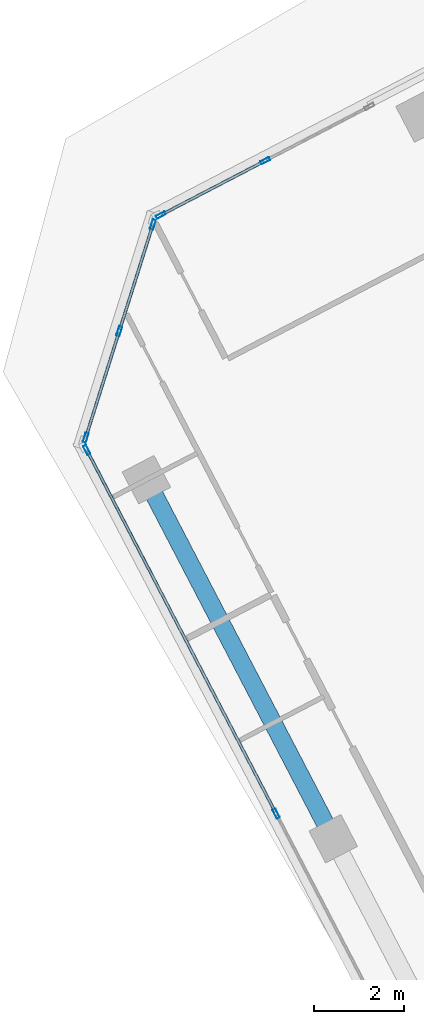
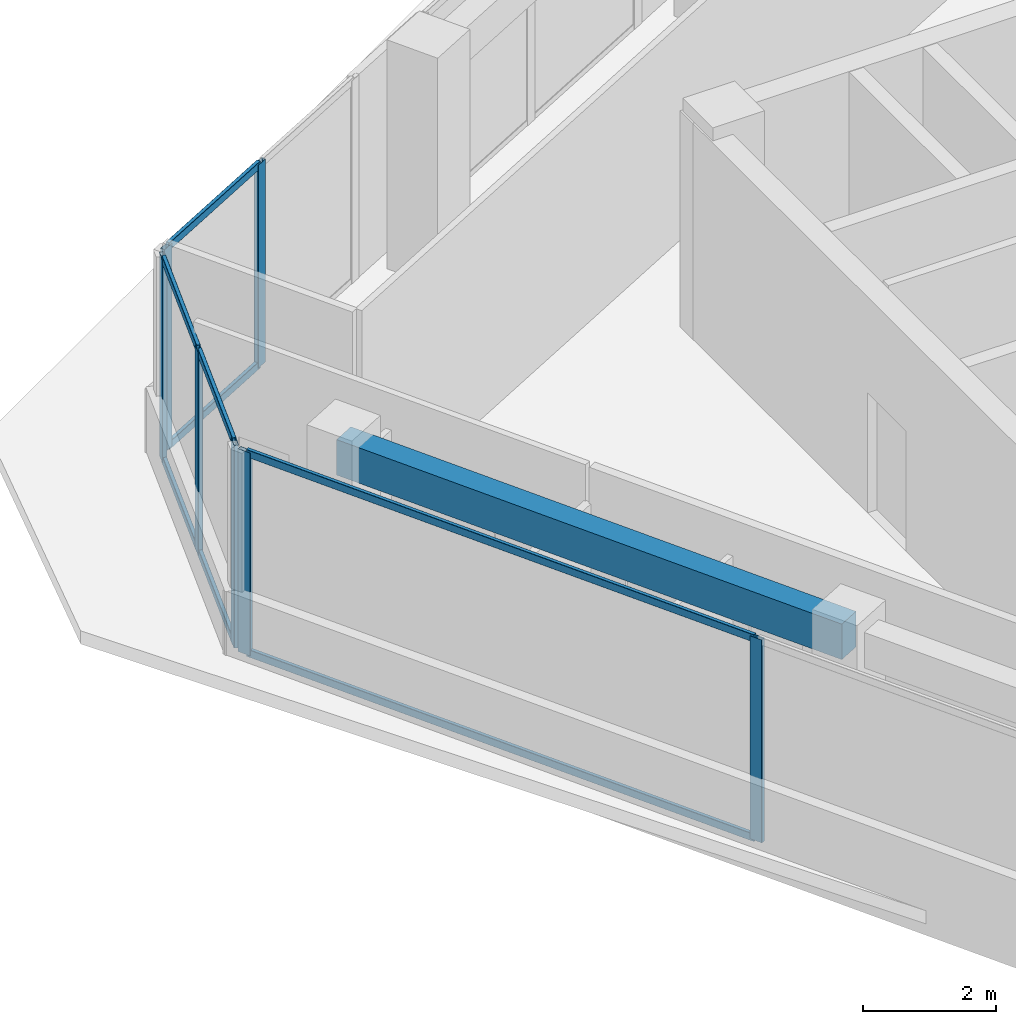
# One storey, part 5 of 16: 15 members, 1 beam, 3 elements without a shape of their own.
"""IFC4 building model written with IfcOpenShell, lengths in metres."""

from ifc_helpers import new_model, si_unit, direction, frame, origin, origin_2d, place, context, subcontext, project, spatial, rectangle, hollow_rectangle, extrude, source, transform, mapped, material, material_profile, profile_set, type_object, element, aggregate, save


model = new_model("IFC4")

# Units and contexts
model_context = context("Model", 3, precision=1e-05, world=origin(), true_north=direction((0.0, 1.0)))
body_context = subcontext(model_context, "Body", "Model", "MODEL_VIEW")
ifc_project = project(units=[si_unit("LENGTHUNIT", "METRE"), si_unit("AREAUNIT", "SQUARE_METRE"), si_unit("VOLUMEUNIT", "CUBIC_METRE"), si_unit("PLANEANGLEUNIT", "RADIAN"), si_unit("MASSUNIT", "GRAM", prefix="KILO")], contexts=[model_context])

# Site, building, storey
site_placement = place(None, origin())
site = spatial("IfcSite", under=ifc_project, at=site_placement, CompositionType="ELEMENT")
building_placement = place(site_placement, origin())
building = spatial("IfcBuilding", under=site, at=building_placement, Name="Torre Montelarca", CompositionType="ELEMENT")
storey_placement = place(building_placement, frame((0.0, 0.0, 328.199951171875)))
storey = spatial("IfcBuildingStorey", under=building, at=storey_placement, Name="L74", CompositionType="ELEMENT", Elevation=328.199951171875)

# Beam
ifc_material_1 = material(Name="Concrete C40/50", Category="concrete")
ifc_material_profile_1 = material_profile(ifc_material_1, rectangle(XDim=0.39990234375, YDim=0.64990234375, at=origin_2d()), Name="RCB400X650", Category="concrete")
ifc_profile_set_1 = profile_set([ifc_material_profile_1], Name="Concrete C40/50")
beam_type = type_object("IfcBeamType", Name="BM-SP-RC650-EXT", PredefinedType="SPANDREL", material=ifc_profile_set_1)
shared_shape_1 = source(origin(), body_context, "Body", "SweptSolid", [
    extrude(rectangle(XDim=0.39990234375, YDim=0.64990234375, at=origin_2d()), origin(), (0.0, 0.0, 1.0), 8.999755859375),
])
beam_placement = place(storey_placement, frame((0.4716796875, 35.1455078125, 3.635009765625), z_axis=(0.4617379111, -0.887016404275, 0.0), x_axis=(0.887016404275, 0.4617379111, 0.0)))
element("IfcBeam", 1, at=beam_placement, inside=storey, type_object=beam_type, Name="L74 Grid Girder X 9.0-18.0 at Y=14.8", PredefinedType="SPANDREL", context=body_context, shape_type="MappedRepresentation", body=[
    mapped(shared_shape_1, transform((0.0, 0.0, 0.0), scale=1.0)),
])

# Curtain wall, members
ifc_material_2 = material(Name="Insulated low-E laminated glass", Category="glass")
curtain_wall_type = type_object("IfcCurtainWallType", Name="CW-SYS-Z4", PredefinedType="USERDEFINED", material=ifc_material_2)
curtain_wall_1_placement = place(storey_placement, origin())
curtain_wall_1 = element("IfcCurtainWall", 2, at=curtain_wall_1_placement, inside=storey, type_object=curtain_wall_type, Name="L74 Curtain Wall Run CW-T3-L74-E01-B1", ObjectType="UNITISED GLAZING", PredefinedType="USERDEFINED")
ifc_material_3 = material(Name="Anodised aluminium AA 6063-T6", Category="aluminium")
ifc_material_profile_2 = material_profile(ifc_material_3, hollow_rectangle(XDim=0.074951171875, YDim=0.219970703125, WallThickness=0.0048828125, InnerFilletRadius=0.0048828125, OuterFilletRadius=0.010009765625, at=origin_2d()), Name="ALU75X220X5", Category="aluminium")
ifc_profile_set_2 = profile_set([ifc_material_profile_2], Name="Anodised aluminium AA 6063-T6")
member_type_1 = type_object("IfcMemberType", Name="CWM-ALU220", PredefinedType="MULLION", material=ifc_profile_set_2)
shared_shape_2 = source(origin(), body_context, "Body", "SweptSolid", [
    extrude(hollow_rectangle(XDim=0.074951171875, YDim=0.219970703125, WallThickness=0.0048828125, InnerFilletRadius=0.0048828125, OuterFilletRadius=0.010009765625, at=origin_2d()), origin(), (0.0, 0.0, 1.0), 3.719970703125),
])
member_1_placement = place(storey_placement, frame((-0.852783203125, 35.805419921875, 0.0), z_axis=(0.0, 0.0, 1.0), x_axis=(0.887011429119, 0.461747468442, 0.0)))
member_1 = element("IfcMember", 3, at=member_1_placement, type_object=member_type_1, Name="CW mullion 1", PredefinedType="MULLION", context=body_context, shape_type="MappedRepresentation", body=[
    mapped(shared_shape_2, transform((0.0, 0.0, 0.0), scale=1.0)),
])
member_2_placement = place(storey_placement, frame((3.35595703125, 27.720703125, 0.0), z_axis=(0.0, 0.0, 1.0), x_axis=(0.887011429119, 0.461747468442, 0.0)))
member_2 = element("IfcMember", 4, at=member_2_placement, type_object=member_type_1, Name="CW mullion 2", PredefinedType="MULLION", context=body_context, shape_type="MappedRepresentation", body=[
    mapped(shared_shape_2, transform((0.0, 0.0, 0.0), scale=1.0)),
])

curtain_wall_2_placement = place(storey_placement, origin())
curtain_wall_2 = element("IfcCurtainWall", 5, at=curtain_wall_2_placement, inside=storey, type_object=curtain_wall_type, Name="L74 Curtain Wall Run CW-T3-L74-E10-B3", ObjectType="UNITISED GLAZING", PredefinedType="USERDEFINED")
member_3_placement = place(storey_placement, frame((3.113525390625, 42.23681640625, 0.0), z_axis=(0.0, 0.0, 1.0), x_axis=(0.46173914052, -0.887015764297, 0.0)))
member_3 = element("IfcMember", 6, at=member_3_placement, type_object=member_type_1, Name="CW mullion 2", PredefinedType="MULLION", context=body_context, shape_type="MappedRepresentation", body=[
    mapped(shared_shape_2, transform((0.0, 0.0, 0.0), scale=1.0)),
])
member_4_placement = place(storey_placement, frame((0.79443359375, 41.029541015625, 0.0), z_axis=(0.0, 0.0, 1.0), x_axis=(0.46173914052, -0.887015764297, 0.0)))
member_4 = element("IfcMember", 7, at=member_4_placement, type_object=member_type_1, Name="CW mullion 3", PredefinedType="MULLION", context=body_context, shape_type="MappedRepresentation", body=[
    mapped(shared_shape_2, transform((0.0, 0.0, 0.0), scale=1.0)),
])

curtain_wall_3_placement = place(storey_placement, origin())
curtain_wall_3 = element("IfcCurtainWall", 8, at=curtain_wall_3_placement, inside=storey, type_object=curtain_wall_type, Name="L74 Curtain Wall Run CW-T3-L74-E11-B1", ObjectType="UNITISED GLAZING", PredefinedType="USERDEFINED")
member_5_placement = place(storey_placement, frame((0.616943359375, 40.81787109375, 0.0), z_axis=(0.0, 0.0, 1.0), x_axis=(0.953721038655, -0.300692834013, 0.0)))
member_5 = element("IfcMember", 9, at=member_5_placement, type_object=member_type_1, Name="CW mullion 1", PredefinedType="MULLION", context=body_context, shape_type="MappedRepresentation", body=[
    mapped(shared_shape_2, transform((0.0, 0.0, 0.0), scale=1.0)),
])
member_6_placement = place(storey_placement, frame((-0.1298828125, 38.44921875, 0.0), z_axis=(0.0, 0.0, 1.0), x_axis=(0.953721038655, -0.300692834013, 0.0)))
member_6 = element("IfcMember", 10, at=member_6_placement, type_object=member_type_1, Name="CW mullion 2", PredefinedType="MULLION", context=body_context, shape_type="MappedRepresentation", body=[
    mapped(shared_shape_2, transform((0.0, 0.0, 0.0), scale=1.0)),
])
member_7_placement = place(storey_placement, frame((-0.876708984375, 36.08056640625, 0.0), z_axis=(0.0, 0.0, 1.0), x_axis=(0.953721038655, -0.300692834013, 0.0)))
member_7 = element("IfcMember", 11, at=member_7_placement, type_object=member_type_1, Name="CW mullion 3", PredefinedType="MULLION", context=body_context, shape_type="MappedRepresentation", body=[
    mapped(shared_shape_2, transform((0.0, 0.0, 0.0), scale=1.0)),
])
ifc_material_profile_3 = material_profile(ifc_material_3, hollow_rectangle(XDim=0.06494140625, YDim=0.139892578125, WallThickness=0.00390625, InnerFilletRadius=0.00390625, OuterFilletRadius=0.008056640625, at=origin_2d()), Name="ALU65X140X4", Category="aluminium")
ifc_profile_set_3 = profile_set([ifc_material_profile_3], Name="Anodised aluminium AA 6063-T6")
member_type_2 = type_object("IfcMemberType", Name="CWT-ALU140", PredefinedType="USERDEFINED", material=ifc_profile_set_3)
shared_shape_3 = source(origin(), body_context, "Body", "SweptSolid", [
    extrude(hollow_rectangle(XDim=0.06494140625, YDim=0.139892578125, WallThickness=0.00390625, InnerFilletRadius=0.00390625, OuterFilletRadius=0.008056640625, at=origin_2d()), origin(), (0.0, 0.0, 1.0), 2.40869140625),
])
member_8_placement = place(storey_placement, frame((-0.14111328125, 38.413330078125, 0.032470703125), z_axis=(-0.300738408504, -0.953706668557, 0.0), x_axis=(0.953706668557, -0.300738408504, 0.0)))
member_8 = element("IfcMember", 12, at=member_8_placement, type_object=member_type_2, Name="CW transom 2.1", ObjectType="TRANSOM", PredefinedType="USERDEFINED", context=body_context, shape_type="MappedRepresentation", body=[
    mapped(shared_shape_3, transform((0.0, 0.0, 0.0), scale=1.0)),
])
member_9_placement = place(storey_placement, frame((-0.14111328125, 38.413330078125, 3.6875), z_axis=(-0.300738408504, -0.953706668557, 0.0), x_axis=(0.953706668557, -0.300738408504, 0.0)))
member_9 = element("IfcMember", 13, at=member_9_placement, type_object=member_type_2, Name="CW transom 2.2", ObjectType="TRANSOM", PredefinedType="USERDEFINED", context=body_context, shape_type="MappedRepresentation", body=[
    mapped(shared_shape_3, transform((0.0, 0.0, 0.0), scale=1.0)),
])
shared_shape_4 = source(origin(), body_context, "Body", "SweptSolid", [
    extrude(hollow_rectangle(XDim=0.06494140625, YDim=0.139892578125, WallThickness=0.00390625, InnerFilletRadius=0.00390625, OuterFilletRadius=0.008056640625, at=origin_2d()), origin(), (0.0, 0.0, 1.0), 2.408935546875),
])
member_10_placement = place(storey_placement, frame((0.605712890625, 40.7822265625, 0.032470703125), z_axis=(-0.300709339163, -0.953715834691, 0.0), x_axis=(0.953715834691, -0.300709339163, 0.0)))
member_10 = element("IfcMember", 14, at=member_10_placement, type_object=member_type_2, Name="CW transom 1.1", ObjectType="TRANSOM", PredefinedType="USERDEFINED", context=body_context, shape_type="MappedRepresentation", body=[
    mapped(shared_shape_4, transform((0.0, 0.0, 0.0), scale=1.0)),
])
member_11_placement = place(storey_placement, frame((0.605712890625, 40.7822265625, 3.6875), z_axis=(-0.300709339163, -0.953715834691, 0.0), x_axis=(0.953715834691, -0.300709339163, 0.0)))
member_11 = element("IfcMember", 15, at=member_11_placement, type_object=member_type_2, Name="CW transom 1.2", ObjectType="TRANSOM", PredefinedType="USERDEFINED", context=body_context, shape_type="MappedRepresentation", body=[
    mapped(shared_shape_4, transform((0.0, 0.0, 0.0), scale=1.0)),
])
aggregate(curtain_wall_3, [member_5, member_6, member_7, member_10, member_11, member_8, member_9])

# Member
shared_shape_5 = source(origin(), body_context, "Body", "SweptSolid", [
    extrude(hollow_rectangle(XDim=0.06494140625, YDim=0.139892578125, WallThickness=0.00390625, InnerFilletRadius=0.00390625, OuterFilletRadius=0.008056640625, at=origin_2d()), origin(), (0.0, 0.0, 1.0), 9.03955078125),
])
member_12_placement = place(storey_placement, frame((-0.83544921875, 35.77197265625, 0.032470703125), z_axis=(0.461760022747, -0.887004893669, 0.0), x_axis=(0.887004893669, 0.461760022747, 0.0)))
member_12 = element("IfcMember", 16, at=member_12_placement, type_object=member_type_2, Name="CW transom 1.1", ObjectType="TRANSOM", PredefinedType="USERDEFINED", context=body_context, shape_type="MappedRepresentation", body=[
    mapped(shared_shape_5, transform((0.0, 0.0, 0.0), scale=1.0)),
])

member_13_placement = place(storey_placement, frame((-0.83544921875, 35.77197265625, 3.6875), z_axis=(0.461760022747, -0.887004893669, 0.0), x_axis=(0.887004893669, 0.461760022747, 0.0)))
member_13 = element("IfcMember", 17, at=member_13_placement, type_object=member_type_2, Name="CW transom 1.2", ObjectType="TRANSOM", PredefinedType="USERDEFINED", context=body_context, shape_type="MappedRepresentation", body=[
    mapped(shared_shape_5, transform((0.0, 0.0, 0.0), scale=1.0)),
])

aggregate(curtain_wall_1, [member_1, member_2, member_12, member_13])

shared_shape_6 = source(origin(), body_context, "Body", "SweptSolid", [
    extrude(hollow_rectangle(XDim=0.06494140625, YDim=0.139892578125, WallThickness=0.00390625, InnerFilletRadius=0.00390625, OuterFilletRadius=0.008056640625, at=origin_2d()), origin(), (0.0, 0.0, 1.0), 2.53955078125),
])
member_14_placement = place(storey_placement, frame((3.080322265625, 42.219482421875, 0.032470703125), z_axis=(-0.887021549542, -0.461728026709, 0.0), x_axis=(0.461728026709, -0.887021549542, 0.0)))
member_14 = element("IfcMember", 18, at=member_14_placement, type_object=member_type_2, Name="CW transom 2.1", ObjectType="TRANSOM", PredefinedType="USERDEFINED", context=body_context, shape_type="MappedRepresentation", body=[
    mapped(shared_shape_6, transform((0.0, 0.0, 0.0), scale=1.0)),
])

member_15_placement = place(storey_placement, frame((3.080322265625, 42.219482421875, 3.6875), z_axis=(-0.887021549542, -0.461728026709, 0.0), x_axis=(0.461728026709, -0.887021549542, 0.0)))
member_15 = element("IfcMember", 19, at=member_15_placement, type_object=member_type_2, Name="CW transom 2.2", ObjectType="TRANSOM", PredefinedType="USERDEFINED", context=body_context, shape_type="MappedRepresentation", body=[
    mapped(shared_shape_6, transform((0.0, 0.0, 0.0), scale=1.0)),
])

aggregate(curtain_wall_2, [member_3, member_4, member_14, member_15])

save(model, "model.ifc")
